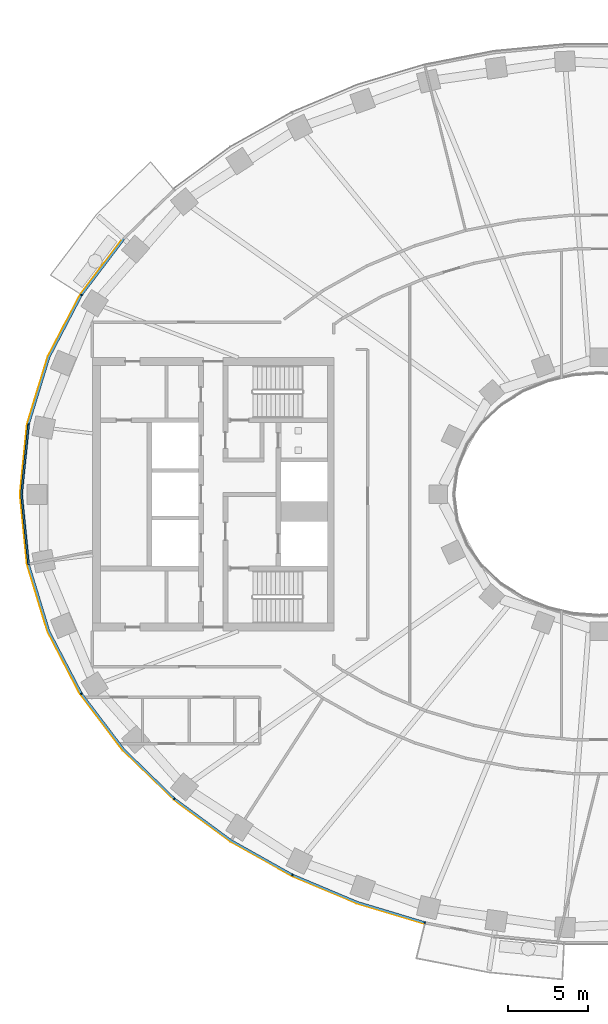
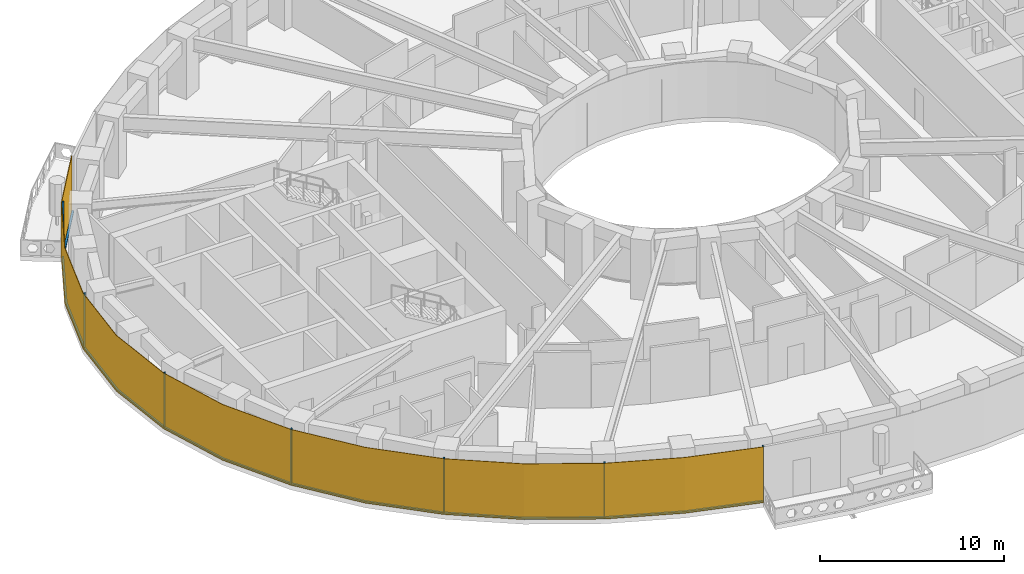
# One storey, part 8 of 16: 14 members, 1 curtain wall.
"""IFC4 building model written with IfcOpenShell, lengths in metres."""

from ifc_helpers import new_model, si_unit, direction, frame, origin, origin_2d, place, context, subcontext, project, spatial, polyline, rectangle, outline, extrude, material, layer, layer_set, material_profile, profile_set, type_object, element, aggregate, save


model = new_model("IFC4")

# Units and contexts
model_context = context("Model", 3, precision=1e-05, world=origin(), true_north=direction((0.0, 1.0)))
body_context = subcontext(model_context, "Body", "Model", "MODEL_VIEW")
ifc_project = project(units=[si_unit("LENGTHUNIT", "METRE"), si_unit("AREAUNIT", "SQUARE_METRE"), si_unit("VOLUMEUNIT", "CUBIC_METRE"), si_unit("PLANEANGLEUNIT", "RADIAN"), si_unit("MASSUNIT", "GRAM", prefix="KILO")], contexts=[model_context])

# Member
ifc_material_1 = material(Name="Aluminium 6063-T6 black anodised", Category="aluminium")
ifc_material_profile = material_profile(ifc_material_1, rectangle(XDim=0.1201171875, YDim=0.06005859375, at=origin_2d()), Name="120x60")
ifc_profile_set = profile_set([ifc_material_profile], Name="Aluminium 6063-T6 black anodised")
member_type_1 = type_object("IfcMemberType", Name="ENV-MULLION-A-120", PredefinedType="MULLION", material=ifc_profile_set)
site_placement = place(None, origin())
building_placement = place(site_placement, origin())
storey_placement = place(building_placement, frame((0.0, 0.0, 136.0)))
member_1_placement = place(storey_placement, frame((-32.177490234375, 12.385498046875, 0.0), z_axis=(0.0, 0.0, 1.0), x_axis=(0.844829880882, -0.53503501976, 0.0)))
member_1 = element("IfcMember", 1, at=member_1_placement, type_object=member_type_1, Name="Mullion A radial 21", PredefinedType="MULLION", context=body_context, shape_type="SweptSolid", body=[
    extrude(rectangle(XDim=0.1201171875, YDim=0.06005859375, at=origin_2d()), origin(), (0.0, 0.0, 1.0), 3.699951171875),
])

member_2_placement = place(storey_placement, frame((-35.470947265625, 4.340576171875, 0.0), z_axis=(0.0, 0.0, 1.0), x_axis=(0.980379083141, -0.19712141776, 0.0)))
member_2 = element("IfcMember", 2, at=member_2_placement, type_object=member_type_1, Name="Mullion A radial 23", PredefinedType="MULLION", context=body_context, shape_type="SweptSolid", body=[
    extrude(rectangle(XDim=0.1201171875, YDim=0.06005859375, at=origin_2d()), origin(), (0.0, 0.0, 1.0), 3.699951171875),
])

member_3_placement = place(storey_placement, frame((-35.470947265625, -4.340576171875, 0.0), z_axis=(0.0, 0.0, 1.0), x_axis=(0.980379083141, 0.19712141776, 0.0)))
member_3 = element("IfcMember", 3, at=member_3_placement, type_object=member_type_1, Name="Mullion A radial 25", PredefinedType="MULLION", context=body_context, shape_type="SweptSolid", body=[
    extrude(rectangle(XDim=0.1201171875, YDim=0.06005859375, at=origin_2d()), origin(), (0.0, 0.0, 1.0), 3.699951171875),
])

member_4_placement = place(storey_placement, frame((-32.177490234375, -12.385498046875, 0.0), z_axis=(0.0, 0.0, 1.0), x_axis=(0.844829880882, 0.53503501976, 0.0)))
member_4 = element("IfcMember", 4, at=member_4_placement, type_object=member_type_1, Name="Mullion A radial 27", PredefinedType="MULLION", context=body_context, shape_type="SweptSolid", body=[
    extrude(rectangle(XDim=0.1201171875, YDim=0.06005859375, at=origin_2d()), origin(), (0.0, 0.0, 1.0), 3.699951171875),
])

member_5_placement = place(storey_placement, frame((-26.403564453125, -18.9130859375, 0.0), z_axis=(0.0, 0.0, 1.0), x_axis=(0.646451313783, 0.762955240435, 0.0)))
member_5 = element("IfcMember", 5, at=member_5_placement, type_object=member_type_1, Name="Mullion A radial 29", PredefinedType="MULLION", context=body_context, shape_type="SweptSolid", body=[
    extrude(rectangle(XDim=0.1201171875, YDim=0.06005859375, at=origin_2d()), origin(), (0.0, 0.0, 1.0), 3.699951171875),
])

member_6_placement = place(storey_placement, frame((-19.06787109375, -23.6474609375, 0.0), z_axis=(0.0, 0.0, 1.0), x_axis=(0.439237769837, 0.898370848563, 0.0)))
member_6 = element("IfcMember", 6, at=member_6_placement, type_object=member_type_1, Name="Mullion A radial 31", PredefinedType="MULLION", context=body_context, shape_type="SweptSolid", body=[
    extrude(rectangle(XDim=0.1201171875, YDim=0.06005859375, at=origin_2d()), origin(), (0.0, 0.0, 1.0), 3.699951171875),
])

member_7_placement = place(storey_placement, frame((-10.84326171875, -26.60498046875, 0.0), z_axis=(0.0, 0.0, 1.0), x_axis=(0.239799081534, 0.970822538106, 0.0)))
member_7 = element("IfcMember", 7, at=member_7_placement, type_object=member_type_1, Name="Mullion A radial 33", PredefinedType="MULLION", context=body_context, shape_type="SweptSolid", body=[
    extrude(rectangle(XDim=0.1201171875, YDim=0.06005859375, at=origin_2d()), origin(), (0.0, 0.0, 1.0), 3.699951171875),
])

ifc_material_2 = material(Name="Aluminium 6063-T6 black anodised", Category="aluminium")
member_type_2 = type_object("IfcMemberType", Name="ENV-TRANSOM-A", PredefinedType="USERDEFINED", material=ifc_material_2)
member_8_placement = place(storey_placement, origin())
member_8 = element("IfcMember", 8, at=member_8_placement, type_object=member_type_2, Name="Transom A radial 20-21", ObjectType="TRANSOM", PredefinedType="USERDEFINED", context=body_context, shape_type="SweptSolid", body=[
    extrude(outline(polyline([(-29.595703125, 15.890869140625), (-32.211181640625, 12.43994140625), (-32.109375, 12.37548828125), (-29.505615234375, 15.811279296875), (-29.595703125, 15.890869140625)])), origin(), (0.0, 0.0, 1.0), 0.10009765625),
])

member_9_placement = place(storey_placement, origin())
member_9 = element("IfcMember", 9, at=member_9_placement, type_object=member_type_2, Name="Transom A radial 21-23", ObjectType="TRANSOM", PredefinedType="USERDEFINED", context=body_context, shape_type="SweptSolid", body=[
    extrude(outline(polyline([(-32.240966796875, 12.392578125), (-34.251220703125, 8.53662109375), (-35.521484375, 4.379150390625), (-35.4033203125, 4.355224609375), (-34.139892578125, 8.490966796875), (-32.139404296875, 12.328369140625), (-32.240966796875, 12.392578125)])), origin(), (0.0, 0.0, 1.0), 0.10009765625),
])

member_10_placement = place(storey_placement, origin())
member_10 = element("IfcMember", 10, at=member_10_placement, type_object=member_type_2, Name="Transom A radial 23-25", ObjectType="TRANSOM", PredefinedType="USERDEFINED", context=body_context, shape_type="SweptSolid", body=[
    extrude(outline(polyline([(-35.532470703125, 4.324462890625), (-35.9677734375, 0.0), (-35.532470703125, -4.324462890625), (-35.414306640625, -4.30078125), (-35.84716796875, 0.0), (-35.414306640625, 4.30078125), (-35.532470703125, 4.324462890625)])), origin(), (0.0, 0.0, 1.0), 0.10009765625),
])

member_11_placement = place(storey_placement, origin())
member_11 = element("IfcMember", 11, at=member_11_placement, type_object=member_type_2, Name="Transom A radial 25-27", ObjectType="TRANSOM", PredefinedType="USERDEFINED", context=body_context, shape_type="SweptSolid", body=[
    extrude(outline(polyline([(-35.521484375, -4.379150390625), (-34.251220703125, -8.53662109375), (-32.240966796875, -12.392578125), (-32.139404296875, -12.328369140625), (-34.139892578125, -8.490966796875), (-35.4033203125, -4.355224609375), (-35.521484375, -4.379150390625)])), origin(), (0.0, 0.0, 1.0), 0.10009765625),
])

member_12_placement = place(storey_placement, origin())
member_12 = element("IfcMember", 12, at=member_12_placement, type_object=member_type_2, Name="Transom A radial 27-29", ObjectType="TRANSOM", PredefinedType="USERDEFINED", context=body_context, shape_type="SweptSolid", body=[
    extrude(outline(polyline([(-32.211181640625, -12.43994140625), (-29.58349609375, -15.906982421875), (-26.46240234375, -18.939208984375), (-26.384765625, -18.847412109375), (-29.493408203125, -15.8271484375), (-32.109375, -12.37548828125), (-32.211181640625, -12.43994140625)])), origin(), (0.0, 0.0, 1.0), 0.10009765625),
])

member_13_placement = place(storey_placement, origin())
member_13 = element("IfcMember", 13, at=member_13_placement, type_object=member_type_2, Name="Transom A radial 29-31", ObjectType="TRANSOM", PredefinedType="USERDEFINED", context=body_context, shape_type="SweptSolid", body=[
    extrude(outline(polyline([(-26.419921875, -18.975341796875), (-22.9150390625, -21.556884765625), (-19.11865234375, -23.687744140625), (-19.06591796875, -23.57958984375), (-22.85009765625, -21.455810546875), (-26.342041015625, -18.883544921875), (-26.419921875, -18.975341796875)])), origin(), (0.0, 0.0, 1.0), 0.10009765625),
])

member_14_placement = place(storey_placement, origin())
member_14 = element("IfcMember", 14, at=member_14_placement, type_object=member_type_2, Name="Transom A radial 31-33", ObjectType="TRANSOM", PredefinedType="USERDEFINED", context=body_context, shape_type="SweptSolid", body=[
    extrude(outline(polyline([(-19.068359375, -23.71240234375), (-15.054443359375, -25.400146484375), (-10.884521484375, -26.655029296875), (-10.855712890625, -26.53857421875), (-15.013916015625, -25.287109375), (-19.015380859375, -23.604248046875), (-19.068359375, -23.71240234375)])), origin(), (0.0, 0.0, 1.0), 0.10009765625),
])

# Site, building, storey
site = spatial("IfcSite", under=ifc_project, at=site_placement, CompositionType="ELEMENT")
building = spatial("IfcBuilding", under=site, at=building_placement, Name="Noorbagh Ring Tower", CompositionType="ELEMENT")
storey = spatial("IfcBuildingStorey", under=building, at=storey_placement, Name="L31", CompositionType="ELEMENT", Elevation=136.0)

# Curtain wall
ifc_material_3 = material(Name="Glass dark tinted laminated", Category="glass")
ifc_layer = layer(ifc_material_3, 0.031982421875)
ifc_layer_set = layer_set([ifc_layer], Name="Glass dark tinted laminated")
curtain_wall_type = type_object("IfcCurtainWallType", Name="ENV-CW-A", PredefinedType="NOTDEFINED", material=ifc_layer_set)
curtain_wall_placement = place(storey_placement, origin())
curtain_wall = element("IfcCurtainWall", 15, at=curtain_wall_placement, inside=storey, type_object=curtain_wall_type, Name="Curtain wall A R20", PredefinedType="NOTDEFINED", context=body_context, shape_type="SweptSolid", body=[
    extrude(outline(polyline([(-29.61962890625, 15.912109375), (-32.255126953125, 12.434814453125), (-34.281005859375, 8.548828125), (-35.561279296875, 4.358642578125), (-36.0, 0.0), (-35.561279296875, -4.358642578125), (-34.281005859375, -8.548828125), (-32.255126953125, -12.434814453125), (-29.607666015625, -15.927978515625), (-26.463134765625, -18.9833984375), (-22.9326171875, -21.583740234375), (-19.108154296875, -23.730224609375), (-15.065185546875, -25.430419921875), (-10.884521484375, -26.6884765625), (-10.876708984375, -26.657470703125), (-15.054443359375, -25.400146484375), (-19.093994140625, -23.701416015625), (-22.9150390625, -21.556884765625), (-26.4423828125, -18.958740234375), (-29.58349609375, -15.906982421875), (-32.22802734375, -12.41748046875), (-34.251220703125, -8.53662109375), (-35.529541015625, -4.352294921875), (-35.9677734375, 0.0), (-35.529541015625, 4.352294921875), (-34.251220703125, 8.53662109375), (-32.22802734375, 12.41748046875), (-29.595703125, 15.890869140625), (-29.61962890625, 15.912109375)])), origin(), (0.0, 0.0, 1.0), 3.699951171875),
])

aggregate(curtain_wall, [member_1, member_2, member_3, member_4, member_5, member_6, member_7, member_8, member_9, member_10, member_11, member_12, member_13, member_14])

save(model, "model.ifc")
